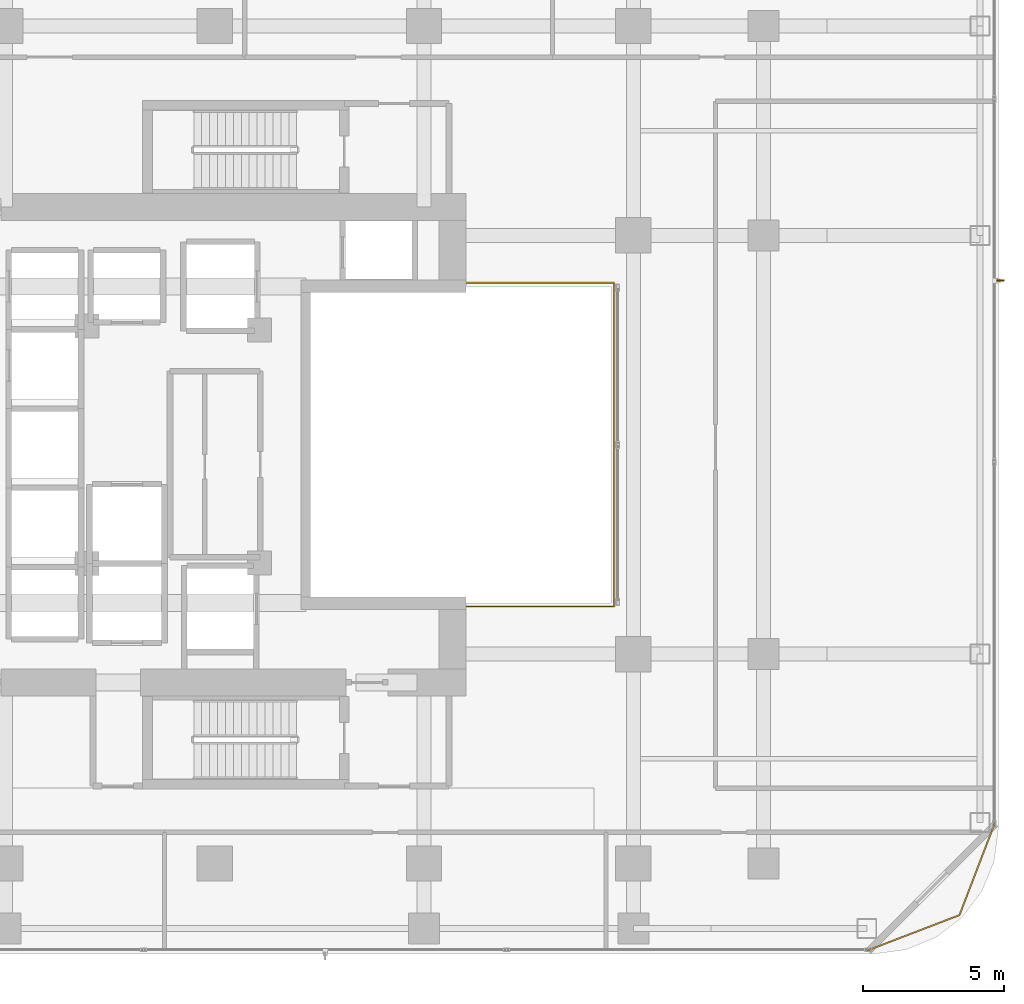
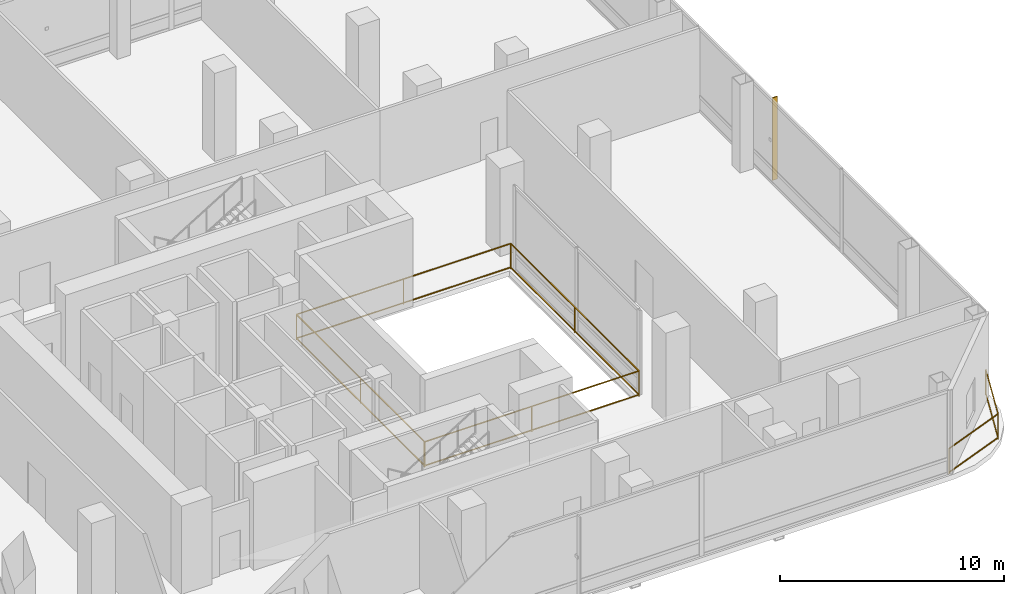
# One storey, part 26 of 28: 2 railings, 1 shading device.
"""IFC4 building model written with IfcOpenShell, lengths in metres."""

from ifc_helpers import new_model, si_unit, direction, frame, origin, origin_2d, place, context, subcontext, project, spatial, rectangle, extrude, material, layer, layer_set, type_object, element, save


model = new_model("IFC4")

# Units and contexts
model_context = context("Model", 3, precision=1e-05, world=origin(), true_north=direction((0.0, 1.0)))
body_context = subcontext(model_context, "Body", "Model", "MODEL_VIEW")
ifc_project = project(units=[si_unit("LENGTHUNIT", "METRE"), si_unit("AREAUNIT", "SQUARE_METRE"), si_unit("VOLUMEUNIT", "CUBIC_METRE"), si_unit("PLANEANGLEUNIT", "RADIAN"), si_unit("MASSUNIT", "GRAM", prefix="KILO")], contexts=[model_context])

# Site, building, storey
site_placement = place(None, origin())
site = spatial("IfcSite", under=ifc_project, at=site_placement, CompositionType="ELEMENT")
building_placement = place(site_placement, origin())
building = spatial("IfcBuilding", under=site, at=building_placement, Name="Khorvyn Point Tower", CompositionType="ELEMENT")
storey_placement = place(building_placement, frame((0.0, 0.0, 108.60009765625)))
storey = spatial("IfcBuildingStorey", under=building, at=storey_placement, Name="L27", CompositionType="ELEMENT", Elevation=108.60009765625)

# Railings
ifc_material_1 = material(Name="Stainless steel 1.4401 and laminated glass", Category="steel")
railing_type_1 = type_object("IfcRailingType", Name="Crystal Atrium Smoke-Rated Perimeter Guardrail 1400", PredefinedType="GUARDRAIL", material=ifc_material_1)
railing_1_placement = place(storey_placement, frame((3.080078125, -5.719970703125, 0.0)))
element("IfcRailing", 1, at=railing_1_placement, inside=storey, type_object=railing_type_1, Name="L27 Crystal Atrium Perimeter Guardrail", PredefinedType="GUARDRAIL", context=body_context, shape_type="SweptSolid", body=[
    extrude(rectangle(XDim=0.048095703125, YDim=0.048095703125, at=origin_2d()), frame((0.0, 0.0, 1.3759765625), z_axis=(1.0, 0.0, 0.0), x_axis=(0.0, 1.0, 0.0)), (0.0, 0.0, 1.0), 11.0400390625),
    extrude(rectangle(XDim=0.048095703125, YDim=0.048095703125, at=origin_2d()), frame((0.0, 0.0, 0.080078125), z_axis=(1.0, 0.0, 0.0), x_axis=(0.0, 1.0, 0.0)), (0.0, 0.0, 1.0), 11.0400390625),
    extrude(rectangle(XDim=0.048095703125, YDim=0.048095703125, at=origin_2d()), frame((11.0400390625, 0.0, 1.3759765625), z_axis=(0.0, 1.0, 0.0), x_axis=(-1.0, 0.0, 0.0)), (0.0, 0.0, 1.0), 11.43994140625),
    extrude(rectangle(XDim=0.048095703125, YDim=0.048095703125, at=origin_2d()), frame((11.0400390625, 0.0, 0.080078125), z_axis=(0.0, 1.0, 0.0), x_axis=(-1.0, 0.0, 0.0)), (0.0, 0.0, 1.0), 11.43994140625),
    extrude(rectangle(XDim=0.048095703125, YDim=0.048095703125, at=origin_2d()), frame((11.0400390625, 11.43994140625, 1.3759765625), z_axis=(-1.0, 0.0, 0.0), x_axis=(0.0, -1.0, 0.0)), (0.0, 0.0, 1.0), 11.0400390625),
    extrude(rectangle(XDim=0.048095703125, YDim=0.048095703125, at=origin_2d()), frame((11.0400390625, 11.43994140625, 0.080078125), z_axis=(-1.0, 0.0, 0.0), x_axis=(0.0, -1.0, 0.0)), (0.0, 0.0, 1.0), 11.0400390625),
    extrude(rectangle(XDim=0.048095703125, YDim=0.048095703125, at=origin_2d()), frame((0.0, 11.43994140625, 1.3759765625), z_axis=(0.0, -1.0, 0.0), x_axis=(1.0, 0.0, 0.0)), (0.0, 0.0, 1.0), 11.409912109375),
    extrude(rectangle(XDim=0.048095703125, YDim=0.048095703125, at=origin_2d()), frame((0.0, 11.43994140625, 0.080078125), z_axis=(0.0, -1.0, 0.0), x_axis=(1.0, 0.0, 0.0)), (0.0, 0.0, 1.0), 11.409912109375),
    extrude(rectangle(XDim=0.0419921875, YDim=0.0419921875, at=origin_2d()), origin(), (0.0, 0.0, 1.0), 1.351806640625),
    extrude(rectangle(XDim=0.0419921875, YDim=0.0419921875, at=origin_2d()), frame((5.52001953125, 0.0, 0.0)), (0.0, 0.0, 1.0), 1.351806640625),
    extrude(rectangle(XDim=0.0419921875, YDim=0.0419921875, at=origin_2d()), frame((11.0400390625, 0.0, 0.0)), (0.0, 0.0, 1.0), 1.351806640625),
    extrude(rectangle(XDim=0.0419921875, YDim=0.0419921875, at=origin_2d()), frame((11.0400390625, 5.719970703125, 0.0)), (0.0, 0.0, 1.0), 1.351806640625),
    extrude(rectangle(XDim=0.0419921875, YDim=0.0419921875, at=origin_2d()), frame((11.0400390625, 11.43994140625, 0.0)), (0.0, 0.0, 1.0), 1.351806640625),
    extrude(rectangle(XDim=0.0419921875, YDim=0.0419921875, at=origin_2d()), frame((5.52001953125, 11.43994140625, 0.0)), (0.0, 0.0, 1.0), 1.351806640625),
    extrude(rectangle(XDim=0.0419921875, YDim=0.0419921875, at=origin_2d()), frame((0.0, 11.43994140625, 0.0)), (0.0, 0.0, 1.0), 1.351806640625),
    extrude(rectangle(XDim=0.0419921875, YDim=0.0419921875, at=origin_2d()), frame((0.0, 5.73486328125, 0.0)), (0.0, 0.0, 1.0), 1.351806640625),
    extrude(rectangle(XDim=0.0419921875, YDim=0.0419921875, at=origin_2d()), frame((0.0, 0.030029296875, 0.0)), (0.0, 0.0, 1.0), 1.351806640625),
])
ifc_material_2 = material(Name="Anodised aluminium 6063-T6 and laminated safety glass", Category="aluminium")
railing_type_2 = type_object("IfcRailingType", Name="Laminated Glass and Aluminium Balcony Guardrail 1400", PredefinedType="BALUSTRADE", material=ifc_material_2)
railing_2_placement = place(storey_placement, frame((23.075927734375, -17.8740234375, 0.0)))
element("IfcRailing", 2, at=railing_2_placement, inside=storey, type_object=railing_type_2, Name="L27 Rounded Corner Edge Guardrail SE", PredefinedType="BALUSTRADE", context=body_context, shape_type="SweptSolid", body=[
    extrude(rectangle(XDim=0.048095703125, YDim=0.048095703125, at=origin_2d()), frame((0.0, 0.0, 1.3759765625), z_axis=(0.933598390295, 0.358321148746, 0.0), x_axis=(-0.358321148746, 0.933598390295, 0.0)), (0.0, 0.0, 1.0), 3.481689453125),
    extrude(rectangle(XDim=0.048095703125, YDim=0.048095703125, at=origin_2d()), frame((0.0, 0.0, 0.080078125), z_axis=(0.933598390295, 0.358321148746, 0.0), x_axis=(-0.358321148746, 0.933598390295, 0.0)), (0.0, 0.0, 1.0), 3.481689453125),
    extrude(rectangle(XDim=0.048095703125, YDim=0.048095703125, at=origin_2d()), frame((3.25048828125, 1.24755859375, 1.3759765625), z_axis=(0.358382264808, 0.933574931257, 0.0), x_axis=(-0.933574931257, 0.358382264808, 0.0)), (0.0, 0.0, 1.0), 3.481689453125),
    extrude(rectangle(XDim=0.048095703125, YDim=0.048095703125, at=origin_2d()), frame((3.25048828125, 1.24755859375, 0.080078125), z_axis=(0.358382264808, 0.933574931257, 0.0), x_axis=(-0.933574931257, 0.358382264808, 0.0)), (0.0, 0.0, 1.0), 3.481689453125),
    extrude(rectangle(XDim=0.0419921875, YDim=0.0419921875, at=origin_2d()), origin(), (0.0, 0.0, 1.0), 1.351806640625),
    extrude(rectangle(XDim=0.0419921875, YDim=0.0419921875, at=origin_2d()), frame((3.25048828125, 1.24755859375, 0.0)), (0.0, 0.0, 1.0), 1.351806640625),
    extrude(rectangle(XDim=0.0419921875, YDim=0.0419921875, at=origin_2d()), frame((4.498291015625, 4.498046875, 0.0)), (0.0, 0.0, 1.0), 1.351806640625),
])

# Shading device
ifc_material_3 = material(Name="Pale anodised aluminium 6063-T6", Category="aluminium")
ifc_layer = layer(ifc_material_3, 0.054931640625)
ifc_layer_set = layer_set([ifc_layer], Name="Pale Anodised Aluminium FIN 260x55")
shading_device_type = type_object("IfcShadingDeviceType", Name="Pale Anodised Aluminium FIN 260x55", PredefinedType="USERDEFINED", material=ifc_layer_set)
shading_device_placement = place(storey_placement, frame((27.77001953125, 5.800048828125, 0.039794921875), z_axis=(0.0, 0.0, 1.0), x_axis=(1.0, 0.0, 0.0)))
element("IfcShadingDevice", 3, at=shading_device_placement, inside=storey, type_object=shading_device_type, Name="L27 Anodised FIN 01", ObjectType="FIN", PredefinedType="USERDEFINED", context=body_context, shape_type="SweptSolid", body=[
    extrude(rectangle(XDim=0.260009765625, YDim=0.054931640625, at=origin_2d()), origin(), (0.0, 0.0, 1.0), 4.5),
])

save(model, "model.ifc")
